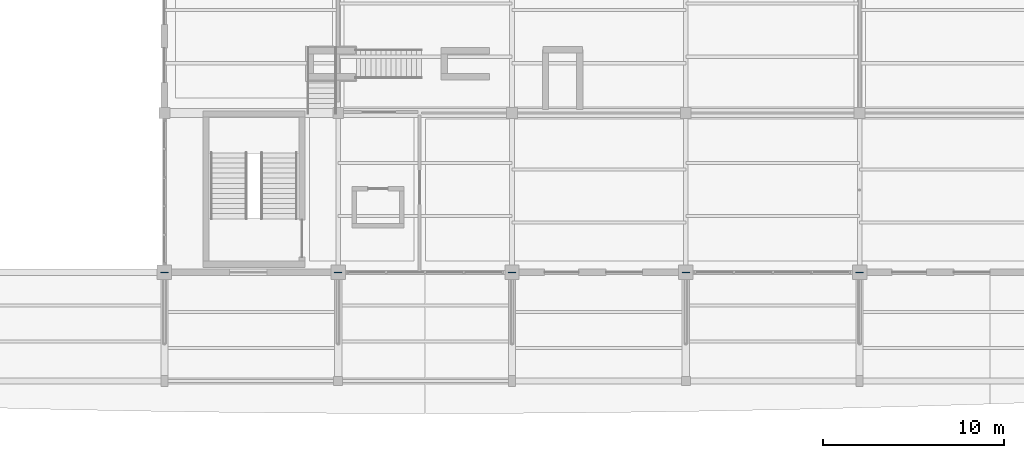
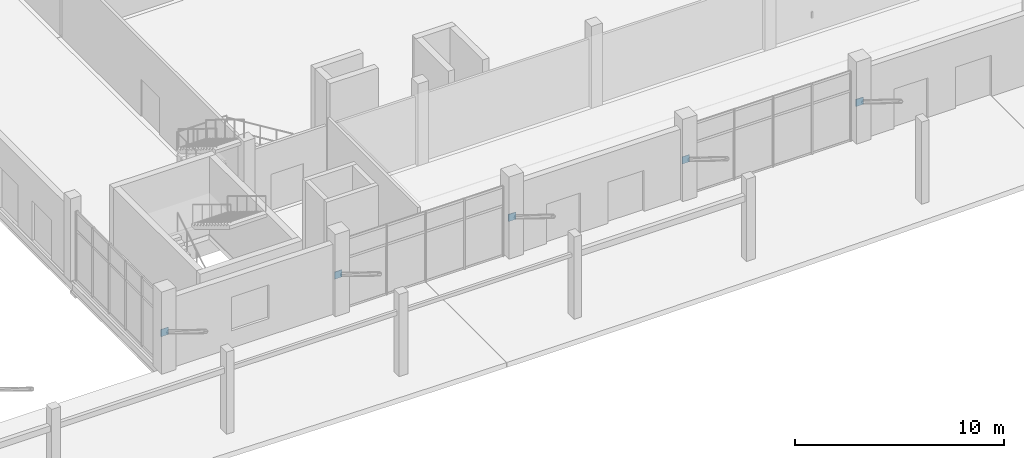
# One storey, part 72 of 116: 5 plates.
"""IFC4 building model written with IfcOpenShell, lengths in metres."""

from ifc_helpers import new_model, si_unit, direction, frame, origin, origin_2d, place, context, subcontext, project, spatial, rectangle, extrude, material, layer, layer_set, type_object, element, save


model = new_model("IFC4")

# Units and contexts
model_context = context("Model", 3, precision=1e-05, world=origin(), true_north=direction((0.0, 1.0)))
body_context = subcontext(model_context, "Body", "Model", "MODEL_VIEW")
ifc_project = project(units=[si_unit("LENGTHUNIT", "METRE"), si_unit("AREAUNIT", "SQUARE_METRE"), si_unit("VOLUMEUNIT", "CUBIC_METRE"), si_unit("PLANEANGLEUNIT", "RADIAN"), si_unit("MASSUNIT", "GRAM", prefix="KILO")], contexts=[model_context])

# Site, building, storey
site_placement = place(None, origin())
site = spatial("IfcSite", under=ifc_project, at=site_placement, CompositionType="ELEMENT")
building_placement = place(site_placement, origin())
building = spatial("IfcBuilding", under=site, at=building_placement, Name="Chalmorin Arch Market", CompositionType="ELEMENT")
storey_placement = place(building_placement, origin())
storey = spatial("IfcBuildingStorey", under=building, at=storey_placement, Name="L00", CompositionType="ELEMENT", Elevation=0.0)

# Plates
ifc_material = material(Name="Steel A572 Grade 50", Category="steel")
ifc_layer = layer(ifc_material, 0.02490234375)
ifc_layer_set = layer_set([ifc_layer], Name="Steel A572 Grade 50")
plate_type = type_object("IfcPlateType", Name="NodeGussetPlate-600x400x25", PredefinedType="SHEET", material=ifc_layer_set)
for number, where, z_axis, x_axis, name in (
    (1, (48.0, 6.0, 1.89013671875), (0.0, 0.0, 1.0), (1.0, 0.0, 0.0), "GP-01-011"),
    (2, (57.60009765625, 6.0, 1.89013671875), (0.0, 0.0, 1.0), (1.0, 0.0, 0.0), "GP-01-013"),
    (3, (67.199951171875, 6.0, 1.89013671875), (0.0, 0.0, 1.0), (1.0, 0.0, 0.0), "GP-01-015"),
    (4, (76.800048828125, 6.0, 1.89013671875), (0.0, 0.0, 1.0), (1.0, 0.0, 0.0), "GP-01-017"),
    (5, (86.39990234375, 6.0, 1.89013671875), (0.0, 0.0, 1.0), (1.0, 0.0, 0.0), "GP-01-019"),
):
    element("IfcPlate", number, at=place(storey_placement, frame(where, z_axis=z_axis, x_axis=x_axis)), inside=storey, type_object=plate_type, Name=name, PredefinedType="SHEET", context=body_context, shape_type="SweptSolid", body=[
        extrude(rectangle(XDim=0.419921875, YDim=0.030029296875, at=origin_2d()), origin(), (0.0, 0.0, 1.0), 0.419921875),
    ])

save(model, "model.ifc")
